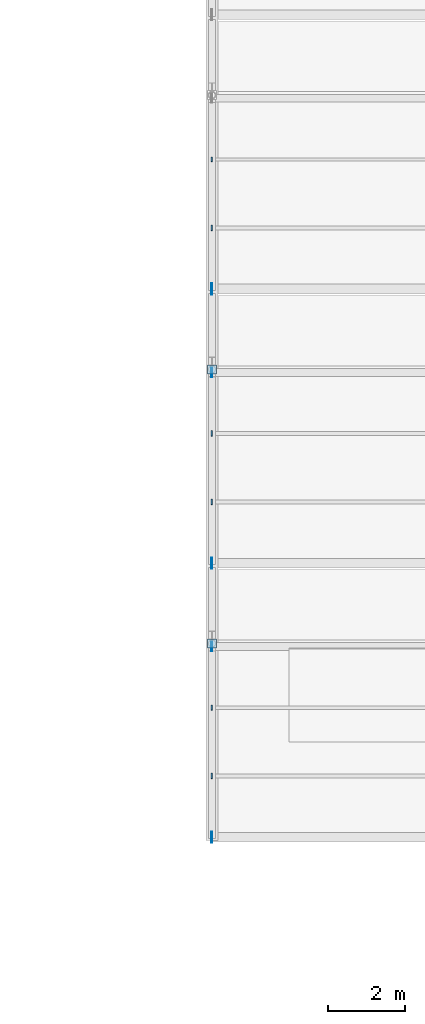
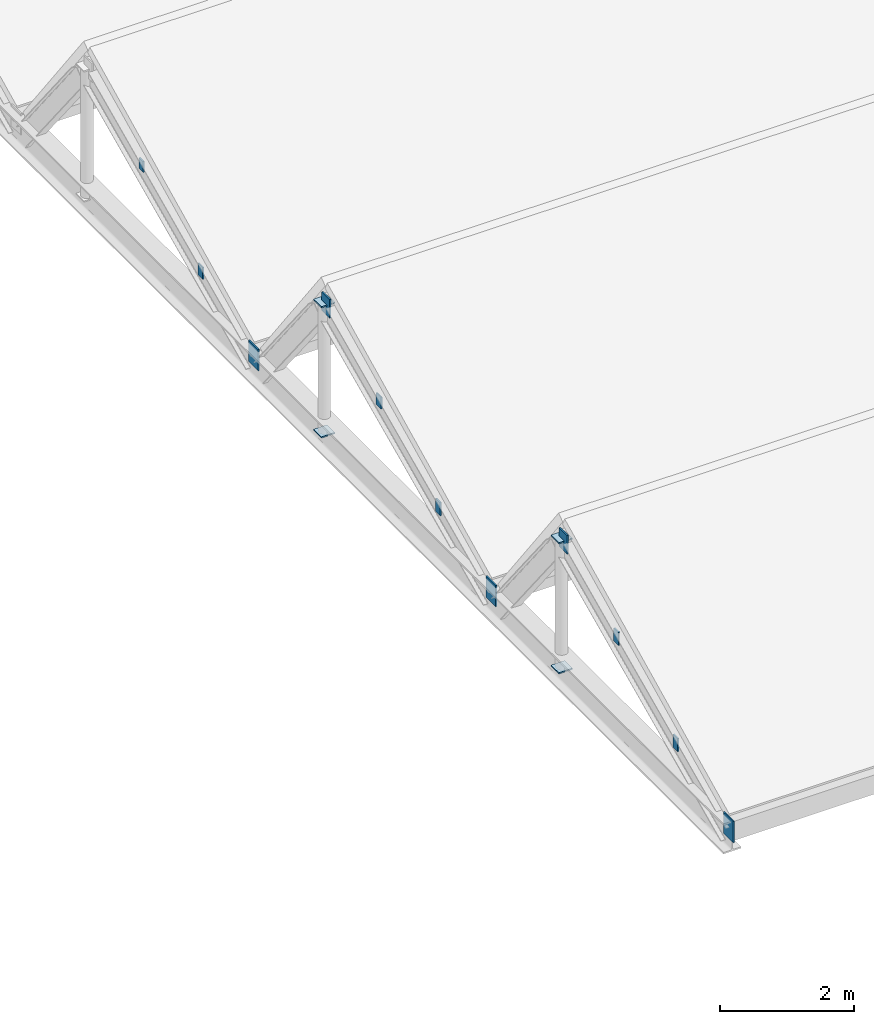
# One storey, part 107 of 138: 15 plates.
"""IFC4 building model written with IfcOpenShell, lengths in metres."""

import ifcopenshell
import ifcopenshell.guid

model = None  # the IFC model being written
_history = None  # IfcOwnerHistory: only IFC2X3 demands one
_inside = {}  # id of a spatial element -> (the spatial element, [elements in it])
_under = {}  # id of a project, library or spatial element -> (it, [spatial elements below it])
_declared = {}  # id of a project -> (the project, [libraries it declares])
_typed = {}  # id of a type object -> (the type object, [elements of that type])
_made_of = {}  # id of a material, layer set ... -> (it, [elements and type objects made of it])


def new_model(schema):
    """Start an empty IFC model of exactly this schema.

    Asked for "IFC4X3", IfcOpenShell would pick the latest addendum, in which some entities
    have other attributes; the version numbers below select the first issue.
    IFC2X3 requires an IfcOwnerHistory on every rooted entity: one is made here for all.
    """
    global model, _history
    if schema == "IFC4X3":
        model = ifcopenshell.file(schema_version=(4, 3, 0, 0))
    else:
        model = ifcopenshell.file(schema=schema)
    _inside.clear()
    _under.clear()
    _declared.clear()
    _typed.clear()
    _made_of.clear()
    _history = None
    if model.schema == "IFC2X3":
        org = make("IfcOrganization", Name="unknown")
        user = make(
            "IfcPersonAndOrganization",
            ThePerson=make("IfcPerson", FamilyName="unknown"),
            TheOrganization=org,
        )
        app = make(
            "IfcApplication",
            ApplicationDeveloper=org,
            Version="unknown",
            ApplicationFullName="unknown",
            ApplicationIdentifier="unknown",
        )
        _history = make(
            "IfcOwnerHistory",
            OwningUser=user,
            OwningApplication=app,
            ChangeAction="ADDED",
            CreationDate=0,
        )
    return model


def make(cls, **values):
    """One entity of the class cls with the attributes given. An attribute that is None is left unset."""
    return model.create_entity(
        cls, **{name: value for name, value in values.items() if value is not None}
    )


def rooted(cls, **values):
    """An entity with a GlobalId (a new one), such as an element, a storey or a relation."""
    return make(cls, GlobalId=ifcopenshell.guid.new(), OwnerHistory=_history, **values)


def si_unit(unit_type, name, prefix=None):
    """IfcSIUnit, for example si_unit("LENGTHUNIT", "METRE", prefix="MILLI")."""
    return make("IfcSIUnit", UnitType=unit_type, Prefix=prefix, Name=name)


def assignment(units):
    """IfcUnitAssignment: the units of a project."""
    return None if units is None else make("IfcUnitAssignment", Units=units)


def point(xyz):
    """IfcCartesianPoint."""
    return None if xyz is None else make("IfcCartesianPoint", Coordinates=xyz)


def direction(xyz):
    """IfcDirection."""
    return None if xyz is None else make("IfcDirection", DirectionRatios=xyz)


def frame(location, z_axis=None, x_axis=None):
    """IfcAxis2Placement3D, a coordinate frame: its origin and axes. An axis left out is left unset."""
    return make(
        "IfcAxis2Placement3D",
        Location=point(location),
        Axis=direction(z_axis),
        RefDirection=direction(x_axis),
    )


def frame_2d(location, x_axis=None):
    """IfcAxis2Placement2D, a coordinate frame in the plane: its origin and x axis."""
    return make(
        "IfcAxis2Placement2D", Location=point(location), RefDirection=direction(x_axis)
    )


def origin():
    """The frame at (0, 0, 0) with its axes left unset."""
    return frame((0.0, 0.0, 0.0))


def origin_2d():
    """The frame at (0, 0) in the plane with its x axis left unset."""
    return frame_2d((0.0, 0.0))


def place(relative_to, where):
    """IfcLocalPlacement: puts the frame where relative to a parent placement (None: the world)."""
    return make(
        "IfcLocalPlacement", PlacementRelTo=relative_to, RelativePlacement=where
    )


def context(
    kind, dimensions, precision=None, world=None, true_north=None, identifier=None
):
    """IfcGeometricRepresentationContext, for example the 3D "Model" context."""
    return make(
        "IfcGeometricRepresentationContext",
        ContextIdentifier=identifier,
        ContextType=kind,
        CoordinateSpaceDimension=dimensions,
        Precision=precision,
        WorldCoordinateSystem=world,
        TrueNorth=true_north,
    )


def subcontext(parent, identifier, kind, view, scale=None):
    """IfcGeometricRepresentationSubContext, for example "Body" below "Model"."""
    return make(
        "IfcGeometricRepresentationSubContext",
        ContextIdentifier=identifier,
        ContextType=kind,
        ParentContext=parent,
        TargetScale=scale,
        TargetView=view,
    )


def project(units=None, contexts=None):
    """IfcProject with its units and contexts."""
    return rooted(
        "IfcProject",
        Name="project",
        RepresentationContexts=contexts,
        UnitsInContext=assignment(units),
    )


def spatial(cls, under=None, at=None, **own):
    """A site, building, storey or space (cls), placed at a placement, below another one or the project."""
    s = rooted(cls, ObjectPlacement=at, **own)
    if under is not None:
        _under.setdefault(under.id(), (under, []))[1].append(s)
    return s


def profile(cls, at=None, kind="AREA", **sizes):
    """A parametric profile (cls). Its sizes go by their IFC names, for example OverallWidth=200.0."""
    return make(cls, ProfileType=kind, Position=at, **sizes)


def rectangle(**sizes):
    """IfcRectangleProfileDef."""
    return profile("IfcRectangleProfileDef", **sizes)


def extrude(swept, where, along, depth):
    """IfcExtrudedAreaSolid: the profile swept, set in the frame where, extruded along a direction by depth."""
    return make(
        "IfcExtrudedAreaSolid",
        SweptArea=swept,
        Position=where,
        ExtrudedDirection=direction(along),
        Depth=depth,
    )


def shape(context_of_items, identifier, shape_type, items):
    """IfcShapeRepresentation: the items that make up one representation, for example the "Body"."""
    return make(
        "IfcShapeRepresentation",
        ContextOfItems=context_of_items,
        RepresentationIdentifier=identifier,
        RepresentationType=shape_type,
        Items=items,
    )


def material(Name=None, Category=None):
    """IfcMaterial."""
    return make("IfcMaterial", Name=Name, Category=Category)


def material_profile(
    of_material, cross_section, Name=None, Category=None, Priority=None
):
    """IfcMaterialProfile: a cross section and its material."""
    return make(
        "IfcMaterialProfile",
        Name=Name,
        Material=of_material,
        Profile=cross_section,
        Priority=Priority,
        Category=Category,
    )


def profile_set(profiles, Name=None, composite=None):
    """IfcMaterialProfileSet."""
    return make(
        "IfcMaterialProfileSet",
        Name=Name,
        MaterialProfiles=profiles,
        CompositeProfile=composite,
    )


def made_of(thing, what):
    """Note that an element or type object is made of a material, layer set ...; save() writes the relation."""
    if what is not None:
        _made_of.setdefault(what.id(), (what, []))[1].append(thing)
    return thing


def type_object(cls, material=None, **own):
    """A type object (cls), such as IfcWallType, which elements share."""
    return made_of(rooted(cls, **own), material)


def element(
    cls,
    number,
    at=None,
    inside=None,
    cuts=None,
    type_object=None,
    material=None,
    context=None,
    identifier="Body",
    shape_type=None,
    held_by="IfcProductDefinitionShape",
    body=None,
    shapes=None,
    **own,
):
    """One element of the class cls, such as IfcWall. Its Tag is "e" and its number.

    at: its placement. inside: the storey or other place that contains it. cuts: it is an
    opening in that element (IfcRelVoidsElement). A single representation is given by context,
    identifier, shape_type and body (its items); several are given by shapes. held_by: the class
    of the entity that holds the representations. save() writes the other relations.
    """
    e = rooted(cls, Tag="e%d" % number, ObjectPlacement=at, **own)
    if body is not None:
        shapes = [shape(context, identifier, shape_type, body)]
    if shapes is not None:
        e.Representation = make(held_by, Representations=shapes)
    if inside is not None:
        _inside.setdefault(inside.id(), (inside, []))[1].append(e)
    if cuts is not None:
        rooted(
            "IfcRelVoidsElement", RelatingBuildingElement=cuts, RelatedOpeningElement=e
        )
    if type_object is not None:
        _typed.setdefault(type_object.id(), (type_object, []))[1].append(e)
    return made_of(e, material)


def aggregate(whole, parts):
    """IfcRelAggregates: a whole, such as a stair, and the parts it consists of."""
    return rooted("IfcRelAggregates", RelatingObject=whole, RelatedObjects=parts)


def save(model, path):
    """Write the relations noted so far, then the file.

    IfcRelAggregates (storeys below a building ...), IfcRelContainedInSpatialStructure (elements
    in a storey), IfcRelDefinesByType, IfcRelAssociatesMaterial and IfcRelDeclares: one each for
    every whole, place, type object, material and project.
    """
    for whole, parts in _under.values():
        aggregate(whole, parts)
    for where, things in _inside.values():
        rooted(
            "IfcRelContainedInSpatialStructure",
            RelatedElements=things,
            RelatingStructure=where,
        )
    for kind, things in _typed.values():
        rooted("IfcRelDefinesByType", RelatedObjects=things, RelatingType=kind)
    for what, things in _made_of.values():
        rooted("IfcRelAssociatesMaterial", RelatedObjects=things, RelatingMaterial=what)
    for by, libraries in _declared.values():
        rooted("IfcRelDeclares", RelatingContext=by, RelatedDefinitions=libraries)
    model.write(path)


model = new_model("IFC4")

# Units and contexts
model_context = context("Model", 3, precision=1e-05, world=origin(), true_north=direction((0.0, 1.0)))
body_context = subcontext(model_context, "Body", "Model", "MODEL_VIEW")
ifc_project = project(units=[si_unit("LENGTHUNIT", "METRE"), si_unit("AREAUNIT", "SQUARE_METRE"), si_unit("VOLUMEUNIT", "CUBIC_METRE"), si_unit("PLANEANGLEUNIT", "RADIAN"), si_unit("MASSUNIT", "GRAM", prefix="KILO")], contexts=[model_context])

# Site, building, storey
site_placement = place(None, origin())
site = spatial("IfcSite", under=ifc_project, at=site_placement, CompositionType="ELEMENT")
building_placement = place(site_placement, origin())
building = spatial("IfcBuilding", under=site, at=building_placement, Name="Vinh Khe Railworks Police Headquarters", CompositionType="ELEMENT")
storey_placement = place(building_placement, frame((0.0, 0.0, 9.0)))
storey = spatial("IfcBuildingStorey", under=building, at=storey_placement, Name="L02", CompositionType="ELEMENT", Elevation=9.0)

# Plates
ifc_material = material(Name="Steel S355JR", Category="steel")
ifc_material_profile_1 = material_profile(ifc_material, rectangle(XDim=0.1201171875, YDim=0.199951171875, at=origin_2d()), Name="PL 120x200")
ifc_profile_set_1 = profile_set([ifc_material_profile_1], Name="Steel S355JR")
plate_type_1 = type_object("IfcPlateType", Name="Steel End-Cap Plate 120x200x24", PredefinedType="SHEET", material=ifc_profile_set_1)
plate_placement = place(storey_placement, frame((26.39990234375, 155.635498046875, 1.761962890625), z_axis=(-1.0, 0.0, 0.0), x_axis=(0.0, -1.0, 0.0)))
element("IfcPlate", 1, at=plate_placement, inside=storey, type_object=plate_type_1, Name="End-Cap Gusset Plate PLT-EP-0268", PredefinedType="SHEET", context=body_context, shape_type="SweptSolid", body=[
    extrude(rectangle(XDim=0.1201171875, YDim=0.199951171875, at=origin_2d()), origin(), (0.0, 0.0, 1.0), 0.02392578125),
])
ifc_material_profile_2 = material_profile(ifc_material, rectangle(XDim=0.139892578125, YDim=0.219970703125, at=origin_2d()), Name="PL 140x220")
ifc_profile_set_2 = profile_set([ifc_material_profile_2], Name="Steel S355JR")
plate_type_2 = type_object("IfcPlateType", Name="Steel End-Cap Plate 140x220x24", PredefinedType="SHEET", material=ifc_profile_set_2)
for number, where, z_axis, x_axis, name in (
    (2, (26.39990234375, 148.53564453125, 1.761962890625), (-1.0, 0.0, 0.0), (0.0, -1.0, 0.0), "End-Cap Gusset Plate PLT-EP-0262"),
    (3, (26.39990234375, 153.864501953125, 0.89794921875), (-1.0, 0.0, 0.0), (0.0, -1.0, 0.0), "End-Cap Gusset Plate PLT-EP-0267"),
):
    element("IfcPlate", number, at=place(storey_placement, frame(where, z_axis=z_axis, x_axis=x_axis)), inside=storey, type_object=plate_type_2, Name=name, PredefinedType="SHEET", context=body_context, shape_type="SweptSolid", body=[
        extrude(rectangle(XDim=0.139892578125, YDim=0.219970703125, at=origin_2d()), origin(), (0.0, 0.0, 1.0), 0.02392578125),
    ])
ifc_material_profile_3 = material_profile(ifc_material, rectangle(XDim=0.139892578125, YDim=0.239990234375, at=origin_2d()), Name="PL 140x240")
ifc_profile_set_3 = profile_set([ifc_material_profile_3], Name="Steel S355JR")
plate_type_3 = type_object("IfcPlateType", Name="Steel End-Cap Plate 140x240x24", PredefinedType="SHEET", material=ifc_profile_set_3)
for number, where, z_axis, x_axis, name in (
    (4, (26.39990234375, 139.664306640625, 0.89794921875), (-1.0, 0.0, 0.0), (0.0, -1.0, 0.0), "End-Cap Gusset Plate PLT-EP-0255"),
    (5, (26.39990234375, 141.435546875, 1.761962890625), (-1.0, 0.0, 0.0), (0.0, -1.0, 0.0), "End-Cap Gusset Plate PLT-EP-0256"),
    (6, (26.39990234375, 146.764404296875, 0.89794921875), (-1.0, 0.0, 0.0), (0.0, -1.0, 0.0), "End-Cap Gusset Plate PLT-EP-0261"),
):
    element("IfcPlate", number, at=place(storey_placement, frame(where, z_axis=z_axis, x_axis=x_axis)), inside=storey, type_object=plate_type_3, Name=name, PredefinedType="SHEET", context=body_context, shape_type="SweptSolid", body=[
        extrude(rectangle(XDim=0.139892578125, YDim=0.239990234375, at=origin_2d()), origin(), (0.0, 0.0, 1.0), 0.02392578125),
    ])
ifc_material_profile_4 = material_profile(ifc_material, rectangle(XDim=0.23388671875, YDim=0.23388671875, at=origin_2d()), Name="PL 234x234")
ifc_profile_set_4 = profile_set([ifc_material_profile_4], Name="Steel S355JR")
plate_type_4 = type_object("IfcPlateType", Name="Steel End-Cap Plate 234x234x24", PredefinedType="SHEET", material=ifc_profile_set_4)
for number, where, z_axis, x_axis, name in (
    (7, (26.39990234375, 143.10009765625, 0.199951171875), (0.0, 0.0, -1.0), (1.0, 0.0, 0.0), "End-Cap Gusset Plate PLT-EP-0258"),
    (8, (26.39990234375, 143.10009765625, 2.550048828125), (0.0, 0.0, 1.0), (1.0, 0.0, 0.0), "End-Cap Gusset Plate PLT-EP-0259"),
    (9, (26.39990234375, 150.199951171875, 0.199951171875), (0.0, 0.0, -1.0), (1.0, 0.0, 0.0), "End-Cap Gusset Plate PLT-EP-0264"),
    (10, (26.39990234375, 150.199951171875, 2.550048828125), (0.0, 0.0, 1.0), (1.0, 0.0, 0.0), "End-Cap Gusset Plate PLT-EP-0265"),
):
    element("IfcPlate", number, at=place(storey_placement, frame(where, z_axis=z_axis, x_axis=x_axis)), inside=storey, type_object=plate_type_4, Name=name, PredefinedType="SHEET", context=body_context, shape_type="SweptSolid", body=[
        extrude(rectangle(XDim=0.23388671875, YDim=0.23388671875, at=origin_2d()), origin(), (0.0, 0.0, 1.0), 0.02392578125),
    ])
ifc_material_profile_5 = material_profile(ifc_material, rectangle(XDim=0.239990234375, YDim=0.340087890625, at=origin_2d()), Name="PL 240x340")
ifc_profile_set_5 = profile_set([ifc_material_profile_5], Name="Steel S355JR")
plate_type_5 = type_object("IfcPlateType", Name="Steel End-Cap Plate 240x340x24", PredefinedType="SHEET", material=ifc_profile_set_5)
for number, where, z_axis, x_axis, name in (
    (11, (26.39990234375, 143.02001953125, 2.550048828125), (-1.0, 0.0, 0.0), (0.0, -1.0, 0.0), "End-Cap Gusset Plate PLT-EP-0257"),
    (12, (26.39990234375, 150.1201171875, 2.550048828125), (-1.0, 0.0, 0.0), (0.0, -1.0, 0.0), "End-Cap Gusset Plate PLT-EP-0263"),
):
    element("IfcPlate", number, at=place(storey_placement, frame(where, z_axis=z_axis, x_axis=x_axis)), inside=storey, type_object=plate_type_5, Name=name, PredefinedType="SHEET", context=body_context, shape_type="SweptSolid", body=[
        extrude(rectangle(XDim=0.239990234375, YDim=0.340087890625, at=origin_2d()), origin(), (0.0, 0.0, 1.0), 0.02392578125),
    ])
ifc_material_profile_6 = material_profile(ifc_material, rectangle(XDim=0.2900390625, YDim=0.389892578125, at=origin_2d()), Name="PL 290x390")
ifc_profile_set_6 = profile_set([ifc_material_profile_6], Name="Steel S355JR")
plate_type_6 = type_object("IfcPlateType", Name="Steel End-Cap Plate 290x390x24", PredefinedType="SHEET", material=ifc_profile_set_6)
for number, where, z_axis, x_axis, name in (
    (13, (26.39990234375, 138.080078125, 0.320068359375), (-1.0, 0.0, 0.0), (0.0, -1.0, 0.0), "End-Cap Gusset Plate PLT-EP-0254"),
    (14, (26.39990234375, 145.179931640625, 0.320068359375), (-1.0, 0.0, 0.0), (0.0, -1.0, 0.0), "End-Cap Gusset Plate PLT-EP-0260"),
    (15, (26.39990234375, 152.280029296875, 0.320068359375), (-1.0, 0.0, 0.0), (0.0, -1.0, 0.0), "End-Cap Gusset Plate PLT-EP-0266"),
):
    element("IfcPlate", number, at=place(storey_placement, frame(where, z_axis=z_axis, x_axis=x_axis)), inside=storey, type_object=plate_type_6, Name=name, PredefinedType="SHEET", context=body_context, shape_type="SweptSolid", body=[
        extrude(rectangle(XDim=0.2900390625, YDim=0.389892578125, at=origin_2d()), origin(), (0.0, 0.0, 1.0), 0.02392578125),
    ])

save(model, "model.ifc")
